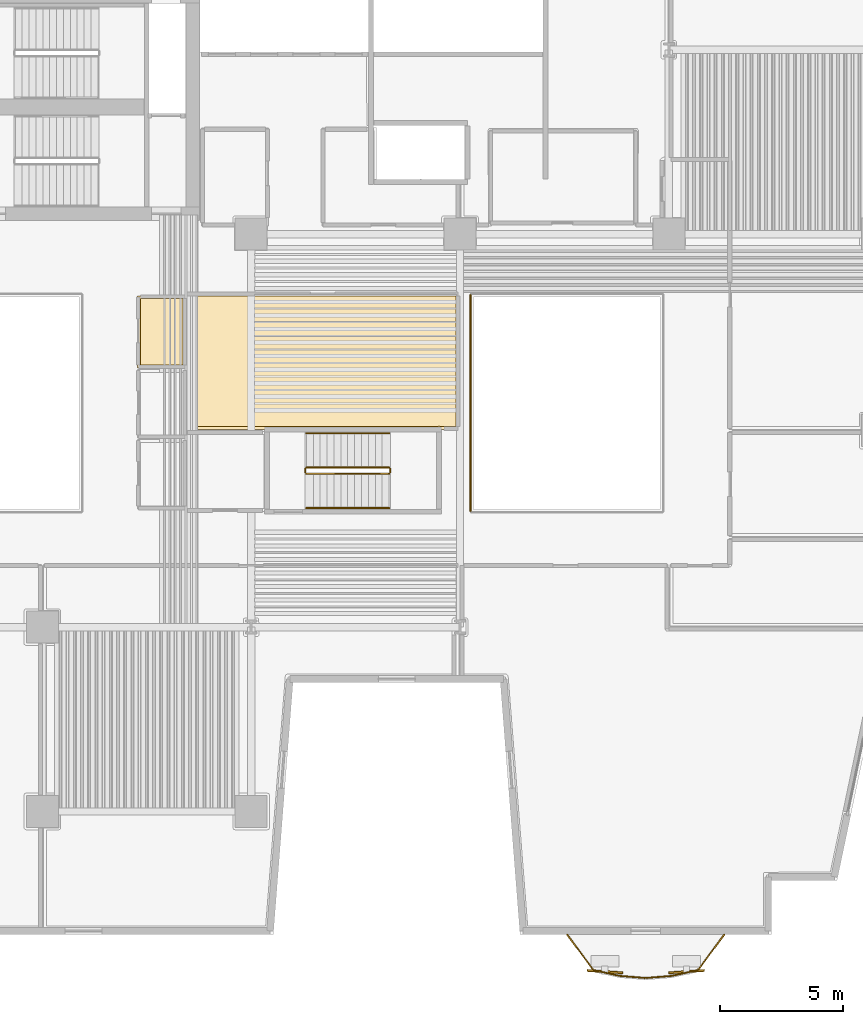
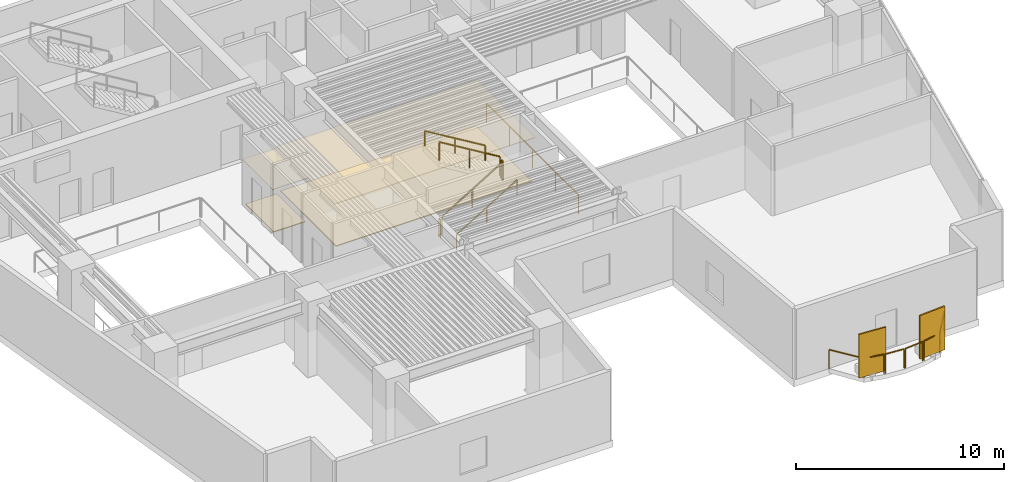
# One storey, part 9 of 12: 13 railings, 4 coverings, 2 shading devices.
"""IFC4 building model written with IfcOpenShell, lengths in metres."""

from ifc_helpers import new_model, si_unit, direction, frame, origin, origin_2d, place, context, subcontext, project, spatial, polyline, rectangle, outline, extrude, material, layer, layer_set, type_object, element, save


model = new_model("IFC4")

# Units and contexts
model_context = context("Model", 3, precision=1e-05, world=origin(), true_north=direction((0.0, 1.0)))
body_context = subcontext(model_context, "Body", "Model", "MODEL_VIEW")
ifc_project = project(units=[si_unit("LENGTHUNIT", "METRE"), si_unit("AREAUNIT", "SQUARE_METRE"), si_unit("VOLUMEUNIT", "CUBIC_METRE"), si_unit("PLANEANGLEUNIT", "RADIAN"), si_unit("MASSUNIT", "GRAM", prefix="KILO")], contexts=[model_context])

# Site, building, storey
site_placement = place(None, origin())
site = spatial("IfcSite", under=ifc_project, at=site_placement, CompositionType="ELEMENT")
building_placement = place(site_placement, origin())
building = spatial("IfcBuilding", under=site, at=building_placement, Name="Caeloran Harvest Quay", CompositionType="ELEMENT")
storey_placement = place(building_placement, frame((0.0, 0.0, 27.0)))
storey = spatial("IfcBuildingStorey", under=building, at=storey_placement, Name="L06", CompositionType="ELEMENT", Elevation=27.0)

# Coverings
ifc_material_1 = material(Name="Perforated Mineral-Fibre Acoustic Ceiling Tile", Category="ceiling")
ifc_layer_1 = layer(ifc_material_1, 0.0400390625, Name="Perforated Mineral-Fibre Acoustic Ceiling Tile")
ifc_layer_set_1 = layer_set([ifc_layer_1], Name="Perforated Mineral-Fibre Acoustic Ceiling Tile")
covering_type_1 = type_object("IfcCoveringType", Name="COV-CEILING-ACOUSTIC", PredefinedType="CEILING", material=ifc_layer_set_1)
covering_1_placement = place(storey_placement, frame((0.0, 0.0, 2.60009765625)))
element("IfcCovering", 1, at=covering_1_placement, inside=storey, type_object=covering_type_1, Name="L06 Male Washroom WC Acoustic Ceiling", PredefinedType="CEILING", context=body_context, shape_type="SweptSolid", body=[
    extrude(outline(polyline([(22.840087890625, 25.56005859375), (20.8701171875, 25.56005859375), (20.8701171875, 28.489990234375), (22.840087890625, 28.489990234375), (22.840087890625, 25.56005859375)])), origin(), (0.0, 0.0, 1.0), 0.039794921875),
])
covering_2_placement = place(storey_placement, frame((0.0, 0.0, 2.60009765625)))
element("IfcCovering", 2, at=covering_2_placement, inside=storey, type_object=covering_type_1, Name="Staff Tea Lounge Acoustic Ceiling", PredefinedType="CEILING", context=body_context, shape_type="SweptSolid", body=[
    extrude(outline(polyline([(22.8701171875, 28.512939453125), (22.85009765625, 28.52001953125), (22.85009765625, 28.610107421875), (33.9599609375, 28.610107421875), (33.9599609375, 23.0400390625), (33.170166015625, 23.0400390625), (33.162841796875, 23.06005859375), (26.13720703125, 23.06005859375), (26.1298828125, 23.0400390625), (22.8701171875, 23.0400390625), (22.8701171875, 28.512939453125)])), origin(), (0.0, 0.0, 1.0), 0.039794921875),
])
ifc_material_2 = material(Name="Calcium-Sulphate Raised Access Floor and Terrazzo Finish", Category="flooring")
ifc_layer_2 = layer(ifc_material_2, 0.050048828125, Name="Calcium-Sulphate Raised Access Floor and Terrazzo Finish")
ifc_layer_set_2 = layer_set([ifc_layer_2], Name="Calcium-Sulphate Raised Access Floor and Terrazzo Finish")
covering_type_2 = type_object("IfcCoveringType", Name="COV-FLOOR-RAISED", PredefinedType="FLOORING", material=ifc_layer_set_2)
covering_3_placement = place(storey_placement, origin())
element("IfcCovering", 3, at=covering_3_placement, inside=storey, type_object=covering_type_2, Name="L06 Male Washroom WC Raised Finish Flooring", PredefinedType="FLOORING", context=body_context, shape_type="SweptSolid", body=[
    extrude(outline(polyline([(22.719970703125, 25.679931640625), (20.989990234375, 25.679931640625), (20.989990234375, 28.3701171875), (22.719970703125, 28.3701171875), (22.719970703125, 25.679931640625)])), origin(), (0.0, 0.0, 1.0), 0.050048828125),
])
covering_4_placement = place(storey_placement, origin())
element("IfcCovering", 4, at=covering_4_placement, inside=storey, type_object=covering_type_2, Name="Staff Tea Lounge Raised Finish Flooring", PredefinedType="FLOORING", context=body_context, shape_type="SweptSolid", body=[
    extrude(outline(polyline([(22.989990234375, 28.489990234375), (33.840087890625, 28.489990234375), (33.840087890625, 23.159912109375), (33.169921875, 23.179931640625), (22.989990234375, 23.159912109375), (22.989990234375, 28.489990234375)])), origin(), (0.0, 0.0, 1.0), 0.050048828125),
])

# Railings
ifc_material_3 = material(Name="Powder-Coated Steel Post and Laminated Glass Guardrail", Category="steel")
ifc_layer_3 = layer(ifc_material_3, 0.06005859375, Name="Powder-Coated Steel Post and Laminated Glass Guardrail")
ifc_layer_set_3 = layer_set([ifc_layer_3], Name="Powder-Coated Steel Post and Laminated Glass Guardrail")
railing_type_1 = type_object("IfcRailingType", Name="GUARD-ATRIUM-1150", PredefinedType="GUARDRAIL", material=ifc_layer_set_3)
railing_1_placement = place(storey_placement, frame((34.429931640625, 28.5380859375, 0.0)))
element("IfcRailing", 5, at=railing_1_placement, inside=storey, type_object=railing_type_1, Name="L06 East Botanical Lightwell Guardrail Seg 4", PredefinedType="GUARDRAIL", context=body_context, shape_type="SweptSolid", body=[
    extrude(rectangle(XDim=0.048095703125, YDim=0.048095703125, at=origin_2d()), frame((0.0, 0.0, 1.1259765625), z_axis=(0.0, -1.0, 0.0), x_axis=(1.0, 0.0, 0.0)), (0.0, 0.0, 1.0), 8.826171875),
    extrude(rectangle(XDim=0.0419921875, YDim=0.0419921875, at=origin_2d()), origin(), (0.0, 0.0, 1.0), 1.101806640625),
    extrude(rectangle(XDim=0.0419921875, YDim=0.0419921875, at=origin_2d()), frame((0.0, -2.20654296875, 0.0)), (0.0, 0.0, 1.0), 1.101806640625),
    extrude(rectangle(XDim=0.0419921875, YDim=0.0419921875, at=origin_2d()), frame((0.0, -4.4130859375, 0.0)), (0.0, 0.0, 1.0), 1.101806640625),
    extrude(rectangle(XDim=0.0419921875, YDim=0.0419921875, at=origin_2d()), frame((0.0, -6.61962890625, 0.0)), (0.0, 0.0, 1.0), 1.101806640625),
    extrude(rectangle(XDim=0.0419921875, YDim=0.0419921875, at=origin_2d()), frame((0.0, -8.826171875, 0.0)), (0.0, 0.0, 1.0), 1.101806640625),
])
ifc_material_4 = material(Name="Laminated Safety Glass and Stainless Steel 316", Category="steel")
ifc_layer_4 = layer(ifc_material_4, 0.06005859375, Name="Laminated Safety Glass and Stainless Steel 316")
ifc_layer_set_4 = layer_set([ifc_layer_4], Name="Laminated Safety Glass and Stainless Steel 316")
railing_type_2 = type_object("IfcRailingType", Name="GUARD-BALUSTRADE-1150", PredefinedType="BALUSTRADE", material=ifc_layer_set_4)
railing_2_placement = place(storey_placement, frame((44.7509765625, 2.47998046875, 0.0)))
element("IfcRailing", 6, at=railing_2_placement, inside=storey, type_object=railing_type_2, Name="L06 Planted Balcony Perimeter Balustrade Guard Seg 1", PredefinedType="BALUSTRADE", context=body_context, shape_type="SweptSolid", body=[
    extrude(rectangle(XDim=0.048095703125, YDim=0.048095703125, at=origin_2d()), frame((0.0, 0.0, 1.1259765625), z_axis=(-0.595716634927, -0.803194678065, 0.0), x_axis=(0.803194678065, -0.595716634927, 0.0)), (0.0, 0.0, 1.0), 1.75439453125),
    extrude(rectangle(XDim=0.0419921875, YDim=0.0419921875, at=origin_2d()), origin(), (0.0, 0.0, 1.0), 1.101806640625),
    extrude(rectangle(XDim=0.0419921875, YDim=0.0419921875, at=origin_2d()), frame((-1.045166015625, -1.4091796875, 0.0)), (0.0, 0.0, 1.0), 1.101806640625),
])
railing_3_placement = place(storey_placement, frame((43.655517578125, 1.0380859375, 0.0)))
element("IfcRailing", 7, at=railing_3_placement, inside=storey, type_object=railing_type_2, Name="L06 Planted Balcony Perimeter Balustrade Guard Seg 2", PredefinedType="BALUSTRADE", context=body_context, shape_type="SweptSolid", body=[
    extrude(rectangle(XDim=0.048095703125, YDim=0.048095703125, at=origin_2d()), frame((0.0, 0.0, 1.1259765625), z_axis=(-0.975923301752, -0.218113981893, 0.0), x_axis=(0.218113981893, -0.975923301752, 0.0)), (0.0, 0.0, 1.0), 1.0263671875),
    extrude(rectangle(XDim=0.0419921875, YDim=0.0419921875, at=origin_2d()), origin(), (0.0, 0.0, 1.0), 1.101806640625),
    extrude(rectangle(XDim=0.0419921875, YDim=0.0419921875, at=origin_2d()), frame((-1.001708984375, -0.223876953125, 0.0)), (0.0, 0.0, 1.0), 1.101806640625),
])
railing_4_placement = place(storey_placement, frame((42.5908203125, 0.804443359375, 0.0)))
element("IfcRailing", 8, at=railing_4_placement, inside=storey, type_object=railing_type_2, Name="L06 Planted Balcony Perimeter Balustrade Guard Seg 3", PredefinedType="BALUSTRADE", context=body_context, shape_type="SweptSolid", body=[
    extrude(rectangle(XDim=0.048095703125, YDim=0.048095703125, at=origin_2d()), frame((0.0, 0.0, 1.1259765625), z_axis=(-0.996675351888, -0.0814754131, 0.0), x_axis=(0.0814754131, -0.996675351888, 0.0)), (0.0, 0.0, 1.0), 1.00390625),
    extrude(rectangle(XDim=0.0419921875, YDim=0.0419921875, at=origin_2d()), origin(), (0.0, 0.0, 1.0), 1.101806640625),
    extrude(rectangle(XDim=0.0419921875, YDim=0.0419921875, at=origin_2d()), frame((-1.00048828125, -0.081787109375, 0.0)), (0.0, 0.0, 1.0), 1.101806640625),
])
railing_5_placement = place(storey_placement, frame((41.526611328125, 0.72265625, 0.0)))
element("IfcRailing", 9, at=railing_5_placement, inside=storey, type_object=railing_type_2, Name="L06 Planted Balcony Perimeter Balustrade Guard Seg 4", PredefinedType="BALUSTRADE", context=body_context, shape_type="SweptSolid", body=[
    extrude(rectangle(XDim=0.048095703125, YDim=0.048095703125, at=origin_2d()), frame((0.0, 0.0, 1.1259765625), z_axis=(-0.996675351888, 0.0814754131, 0.0), x_axis=(-0.0814754131, -0.996675351888, 0.0)), (0.0, 0.0, 1.0), 1.00390625),
    extrude(rectangle(XDim=0.0419921875, YDim=0.0419921875, at=origin_2d()), origin(), (0.0, 0.0, 1.0), 1.101806640625),
    extrude(rectangle(XDim=0.0419921875, YDim=0.0419921875, at=origin_2d()), frame((-1.00048828125, 0.081787109375, 0.0)), (0.0, 0.0, 1.0), 1.101806640625),
])
railing_6_placement = place(storey_placement, frame((40.463134765625, 0.814208984375, 0.0)))
element("IfcRailing", 10, at=railing_6_placement, inside=storey, type_object=railing_type_2, Name="L06 Planted Balcony Perimeter Balustrade Guard Seg 5", PredefinedType="BALUSTRADE", context=body_context, shape_type="SweptSolid", body=[
    extrude(rectangle(XDim=0.048095703125, YDim=0.048095703125, at=origin_2d()), frame((0.0, 0.0, 1.1259765625), z_axis=(-0.975923301752, 0.218113981893, 0.0), x_axis=(-0.218113981893, -0.975923301752, 0.0)), (0.0, 0.0, 1.0), 1.0263671875),
    extrude(rectangle(XDim=0.0419921875, YDim=0.0419921875, at=origin_2d()), origin(), (0.0, 0.0, 1.0), 1.101806640625),
    extrude(rectangle(XDim=0.0419921875, YDim=0.0419921875, at=origin_2d()), frame((-1.001708984375, 0.223876953125, 0.0)), (0.0, 0.0, 1.0), 1.101806640625),
])
railing_7_placement = place(storey_placement, frame((39.4111328125, 1.07080078125, 0.0)))
element("IfcRailing", 11, at=railing_7_placement, inside=storey, type_object=railing_type_2, Name="L06 Planted Balcony Perimeter Balustrade Guard Seg 6", PredefinedType="BALUSTRADE", context=body_context, shape_type="SweptSolid", body=[
    extrude(rectangle(XDim=0.048095703125, YDim=0.048095703125, at=origin_2d()), frame((0.0, 0.0, 1.1259765625), z_axis=(-0.595716634927, 0.803194678065, 0.0), x_axis=(-0.803194678065, -0.595716634927, 0.0)), (0.0, 0.0, 1.0), 1.75439453125),
    extrude(rectangle(XDim=0.0419921875, YDim=0.0419921875, at=origin_2d()), origin(), (0.0, 0.0, 1.0), 1.101806640625),
    extrude(rectangle(XDim=0.0419921875, YDim=0.0419921875, at=origin_2d()), frame((-1.045166015625, 1.4091796875, 0.0)), (0.0, 0.0, 1.0), 1.101806640625),
])

# Shading devices
ifc_material_5 = material(Name="3003-H14 Perforated Powder-Coated Aluminium", Category="aluminium")
shading_device_type = type_object("IfcShadingDeviceType", Name="SHADE-SCREEN-FOLDED", PredefinedType="USERDEFINED", material=ifc_material_5)
for number, where, z_axis, x_axis, name in (
    (12, (43.218505859375, 0.97998046875, 0.0751953125), (0.0, 0.0, 1.0), (0.997801468292, 0.0662739004, 0.0), "L06 Folded Facade Breathing Screen 1"),
    (13, (39.8984375, 0.97998046875, 0.0751953125), (0.0, 0.0, 1.0), (0.997801468292, -0.0662739004, 0.0), "L06 Folded Facade Breathing Screen 2"),
):
    element("IfcShadingDevice", number, at=place(storey_placement, frame(where, z_axis=z_axis, x_axis=x_axis)), inside=storey, type_object=shading_device_type, Name=name, ObjectType="SCREEN", PredefinedType="USERDEFINED", context=body_context, shape_type="SweptSolid", body=[
        extrude(rectangle(XDim=1.449951171875, YDim=0.080078125, at=origin_2d()), origin(), (0.0, 0.0, 1.0), 2.550048828125),
    ])

# Railings
ifc_material_6 = material(Name="Painted Steel Baluster and Top-Rail Stair Guard", Category="steel")
ifc_layer_5 = layer(ifc_material_6, 0.050048828125, Name="Painted Steel Baluster and Top-Rail Stair Guard")
ifc_layer_set_5 = layer_set([ifc_layer_5], Name="Painted Steel Baluster and Top-Rail Stair Guard")
railing_type_3 = type_object("IfcRailingType", Name="STAIR-GUARD-1100", PredefinedType="GUARDRAIL", material=ifc_layer_set_5)
railing_8_placement = place(storey_placement, frame((27.75, 21.25, 0.169189453125)))
element("IfcRailing", 14, at=railing_8_placement, inside=storey, type_object=railing_type_3, Name="L06 ST-W1 stair guard 1", PredefinedType="GUARDRAIL", context=body_context, shape_type="SweptSolid", body=[
    extrude(rectangle(XDim=0.048095703125, YDim=0.048095703125, at=origin_2d()), frame((0.0, 0.0, 1.076171875), z_axis=(0.855836976705, 0.0, 0.517245656632), x_axis=(0.0, 1.0, 0.0)), (0.0, 0.0, 1.0), 3.926025390625),
    extrude(rectangle(XDim=0.0419921875, YDim=0.0419921875, at=origin_2d()), origin(), (0.0, 0.0, 1.0), 1.052001953125),
    extrude(rectangle(XDim=0.0419921875, YDim=0.0419921875, at=origin_2d()), frame((1.68017578125, 0.0, 1.015380859375)), (0.0, 0.0, 1.0), 1.052001953125),
    extrude(rectangle(XDim=0.0419921875, YDim=0.0419921875, at=origin_2d()), frame((3.360107421875, 0.0, 2.03076171875)), (0.0, 0.0, 1.0), 1.052001953125),
])
railing_9_placement = place(storey_placement, frame((31.159912109375, 21.300048828125, 2.199951171875)))
element("IfcRailing", 15, at=railing_9_placement, inside=storey, type_object=railing_type_3, Name="L06 ST-W1 stair guard 2", PredefinedType="GUARDRAIL", context=body_context, shape_type="SweptSolid", body=[
    extrude(rectangle(XDim=0.048095703125, YDim=0.048095703125, at=origin_2d()), frame((0.0, 0.0, 1.076171875), z_axis=(0.0, 1.0, 0.0), x_axis=(-1.0, 0.0, 0.0)), (0.0, 0.0, 1.0), 0.14990234375),
    extrude(rectangle(XDim=0.0419921875, YDim=0.0419921875, at=origin_2d()), origin(), (0.0, 0.0, 1.0), 1.052001953125),
    extrude(rectangle(XDim=0.0419921875, YDim=0.0419921875, at=origin_2d()), frame((0.0, 0.14990234375, 0.0)), (0.0, 0.0, 1.0), 1.052001953125),
])
railing_10_placement = place(storey_placement, frame((31.110107421875, 21.5, 2.369140625)))
element("IfcRailing", 16, at=railing_10_placement, inside=storey, type_object=railing_type_3, Name="L06 ST-W1 stair guard 3", PredefinedType="GUARDRAIL", context=body_context, shape_type="SweptSolid", body=[
    extrude(rectangle(XDim=0.048095703125, YDim=0.048095703125, at=origin_2d()), frame((0.0, 0.0, 1.076171875), z_axis=(-0.855836976705, 0.0, 0.517245656632), x_axis=(0.0, -1.0, 0.0)), (0.0, 0.0, 1.0), 3.926025390625),
    extrude(rectangle(XDim=0.0419921875, YDim=0.0419921875, at=origin_2d()), origin(), (0.0, 0.0, 1.0), 1.052001953125),
    extrude(rectangle(XDim=0.0419921875, YDim=0.0419921875, at=origin_2d()), frame((-1.68017578125, 0.0, 1.015380859375)), (0.0, 0.0, 1.0), 1.052001953125),
    extrude(rectangle(XDim=0.0419921875, YDim=0.0419921875, at=origin_2d()), frame((-3.360107421875, 0.0, 2.03076171875)), (0.0, 0.0, 1.0), 1.052001953125),
])
railing_11_placement = place(storey_placement, frame((27.699951171875, 21.300048828125, 0.0)))
element("IfcRailing", 17, at=railing_11_placement, inside=storey, type_object=railing_type_3, Name="L06 ST-W1 stair guard 4", PredefinedType="GUARDRAIL", context=body_context, shape_type="SweptSolid", body=[
    extrude(rectangle(XDim=0.048095703125, YDim=0.048095703125, at=origin_2d()), frame((0.0, 0.0, 1.076171875), z_axis=(0.0, 1.0, 0.0), x_axis=(-1.0, 0.0, 0.0)), (0.0, 0.0, 1.0), 0.14990234375),
    extrude(rectangle(XDim=0.0419921875, YDim=0.0419921875, at=origin_2d()), origin(), (0.0, 0.0, 1.0), 1.052001953125),
    extrude(rectangle(XDim=0.0419921875, YDim=0.0419921875, at=origin_2d()), frame((0.0, 0.14990234375, 0.0)), (0.0, 0.0, 1.0), 1.052001953125),
])
ifc_material_7 = material(Name="Brushed Stainless Steel Grade 304", Category="steel")
ifc_layer_6 = layer(ifc_material_7, 0.050048828125, Name="Brushed Stainless Steel Grade 304")
ifc_layer_set_6 = layer_set([ifc_layer_6], Name="Brushed Stainless Steel Grade 304")
railing_type_4 = type_object("IfcRailingType", Name="STAIR-HANDRAIL-900", PredefinedType="HANDRAIL", material=ifc_layer_set_6)
railing_12_placement = place(storey_placement, frame((27.75, 19.85009765625, 0.169189453125)))
element("IfcRailing", 18, at=railing_12_placement, inside=storey, type_object=railing_type_4, Name="L06 ST-W1 stair handrail 1", PredefinedType="HANDRAIL", context=body_context, shape_type="SweptSolid", body=[
    extrude(rectangle(XDim=0.048095703125, YDim=0.048095703125, at=origin_2d()), frame((0.0, 0.0, 0.8759765625), z_axis=(0.855836976705, 0.0, 0.517245656632), x_axis=(0.0, 1.0, 0.0)), (0.0, 0.0, 1.0), 3.926025390625),
    extrude(rectangle(XDim=0.0419921875, YDim=0.0419921875, at=origin_2d()), origin(), (0.0, 0.0, 1.0), 0.851806640625),
    extrude(rectangle(XDim=0.0419921875, YDim=0.0419921875, at=origin_2d()), frame((1.68017578125, 0.0, 1.015380859375)), (0.0, 0.0, 1.0), 0.851806640625),
    extrude(rectangle(XDim=0.0419921875, YDim=0.0419921875, at=origin_2d()), frame((3.360107421875, 0.0, 2.03076171875)), (0.0, 0.0, 1.0), 0.851806640625),
])
railing_13_placement = place(storey_placement, frame((31.110107421875, 22.89990234375, 2.369140625)))
element("IfcRailing", 19, at=railing_13_placement, inside=storey, type_object=railing_type_4, Name="L06 ST-W1 stair handrail 2", PredefinedType="HANDRAIL", context=body_context, shape_type="SweptSolid", body=[
    extrude(rectangle(XDim=0.048095703125, YDim=0.048095703125, at=origin_2d()), frame((0.0, 0.0, 0.8759765625), z_axis=(-0.855836976705, 0.0, 0.517245656632), x_axis=(0.0, -1.0, 0.0)), (0.0, 0.0, 1.0), 3.926025390625),
    extrude(rectangle(XDim=0.0419921875, YDim=0.0419921875, at=origin_2d()), origin(), (0.0, 0.0, 1.0), 0.851806640625),
    extrude(rectangle(XDim=0.0419921875, YDim=0.0419921875, at=origin_2d()), frame((-1.68017578125, 0.0, 1.015380859375)), (0.0, 0.0, 1.0), 0.851806640625),
    extrude(rectangle(XDim=0.0419921875, YDim=0.0419921875, at=origin_2d()), frame((-3.360107421875, 0.0, 2.03076171875)), (0.0, 0.0, 1.0), 0.851806640625),
])

save(model, "model.ifc")
